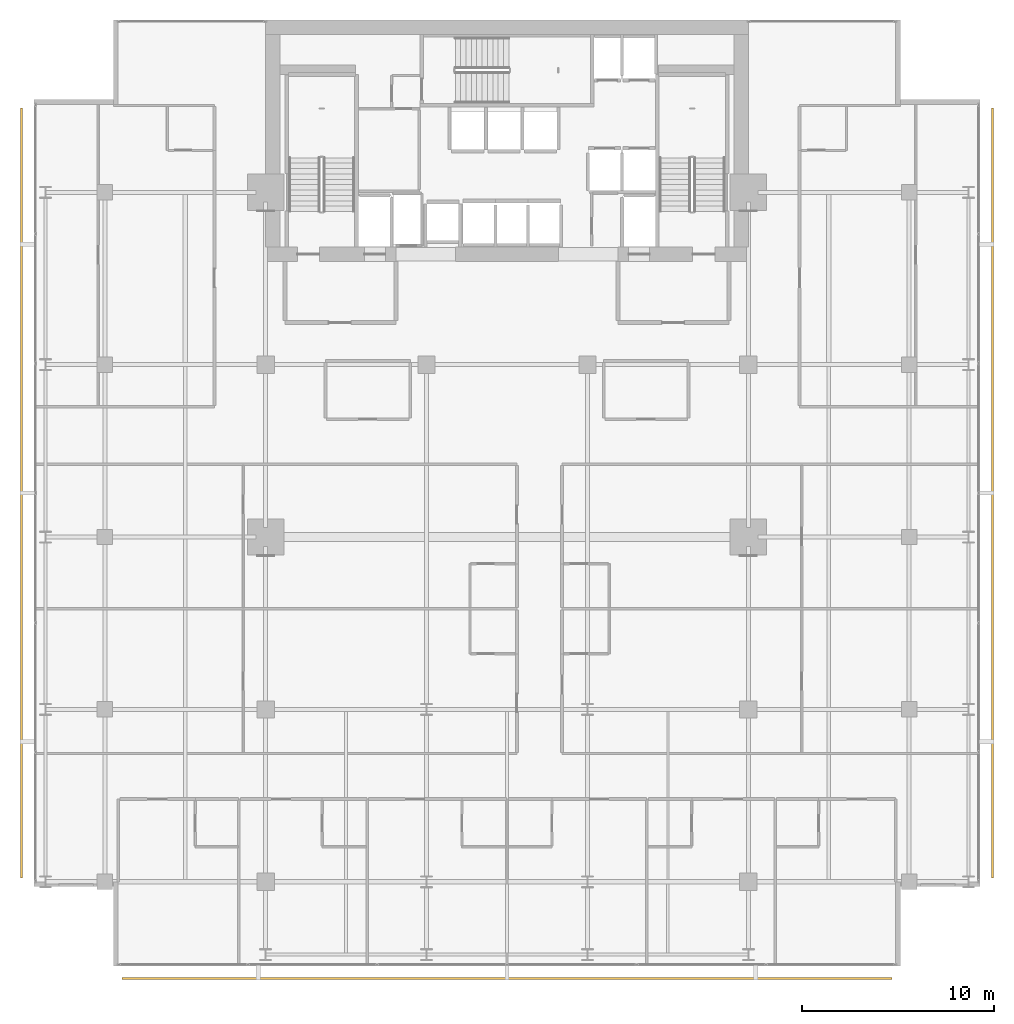
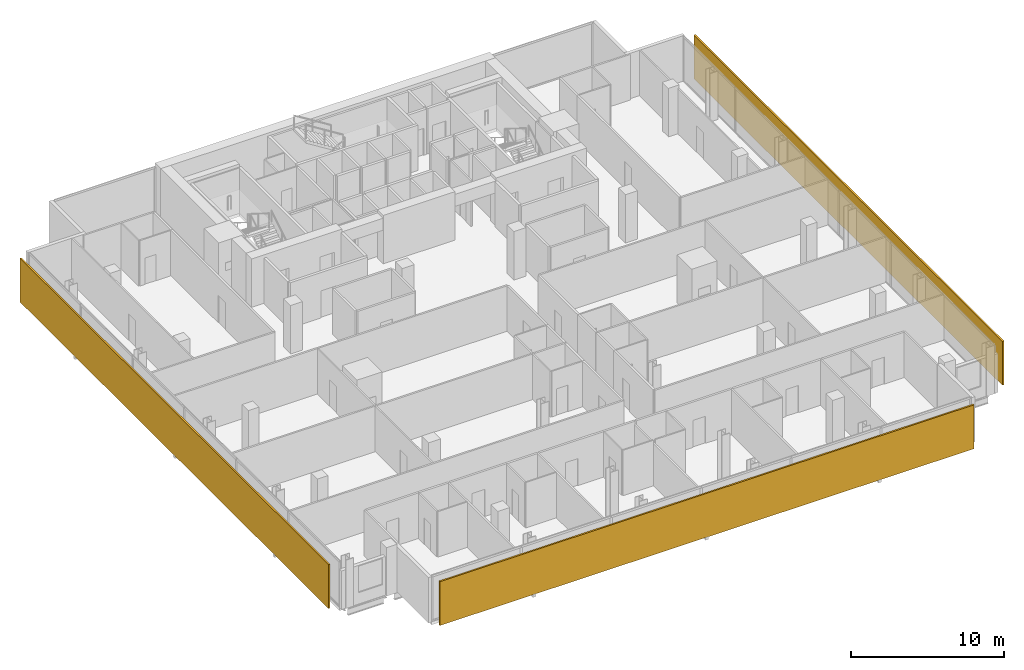
# One storey, part 32 of 33: 3 shading devices.
"""IFC4 building model written with IfcOpenShell, lengths in metres."""

from ifc_helpers import new_model, si_unit, direction, frame, origin, origin_2d, place, context, subcontext, project, spatial, rectangle, extrude, material, layer, layer_set, type_object, element, save


model = new_model("IFC4")

# Units and contexts
model_context = context("Model", 3, precision=1e-05, world=origin(), true_north=direction((0.0, 1.0)))
body_context = subcontext(model_context, "Body", "Model", "MODEL_VIEW")
ifc_project = project(units=[si_unit("LENGTHUNIT", "METRE"), si_unit("AREAUNIT", "SQUARE_METRE"), si_unit("VOLUMEUNIT", "CUBIC_METRE"), si_unit("PLANEANGLEUNIT", "RADIAN"), si_unit("MASSUNIT", "GRAM", prefix="KILO")], contexts=[model_context])

# Site, building, storey
site_placement = place(None, origin())
site = spatial("IfcSite", under=ifc_project, at=site_placement, CompositionType="ELEMENT")
building_placement = place(site_placement, origin())
building = spatial("IfcBuilding", under=site, at=building_placement, Name="Maruvema Waterfront Hotel and Observation Tower", CompositionType="ELEMENT")
storey_placement = place(building_placement, frame((0.0, 0.0, 200.550048828125)))
storey = spatial("IfcBuildingStorey", under=building, at=storey_placement, Name="L49", CompositionType="ELEMENT", Elevation=200.550048828125)

# Shading devices
ifc_material = material(Name="Honed travertine stone and anodised architectural bronze", Category="masonry")
ifc_layer = layer(ifc_material, 0.1201171875, Name="Ventilated Outer Skin Cobogo Stone-and-Bronze Screen 120 mm")
ifc_layer_set = layer_set([ifc_layer], Name="Honed travertine stone and anodised architectural bronze")
shading_device_type = type_object("IfcShadingDeviceType", Name="Ventilated Outer Skin Cobogo Stone-and-Bronze Screen 120 mm", PredefinedType="USERDEFINED", material=ifc_layer_set)
for number, where, z_axis, x_axis, name in (
    (1, (37.800048828125, 3.949951171875, 0.06005859375), (0.0, 0.0, 1.0), (1.0, 0.0, 0.0), "L49 Ventilated Double-Skin Outer Cobogo Screen OS-L49-S"),
    (2, (63.14990234375, 29.300048828125, 0.06005859375), (0.0, 0.0, 1.0), (0.0, 1.0, 0.0), "L49 Ventilated Double-Skin Outer Cobogo Screen OS-L49-E"),
    (3, (12.449951171875, 29.300048828125, 0.06005859375), (0.0, 0.0, 1.0), (0.0, -1.0, 0.0), "L49 Ventilated Double-Skin Outer Cobogo Screen OS-L49-W"),
):
    element("IfcShadingDevice", number, at=place(storey_placement, frame(where, z_axis=z_axis, x_axis=x_axis)), inside=storey, type_object=shading_device_type, Name=name, ObjectType="OUTER SKIN SCREEN", PredefinedType="USERDEFINED", context=body_context, shape_type="SweptSolid", body=[
        extrude(rectangle(XDim=40.199951171875, YDim=0.1201171875, at=origin_2d()), origin(), (0.0, 0.0, 1.0), 3.489990234375),
    ])

save(model, "model.ifc")
